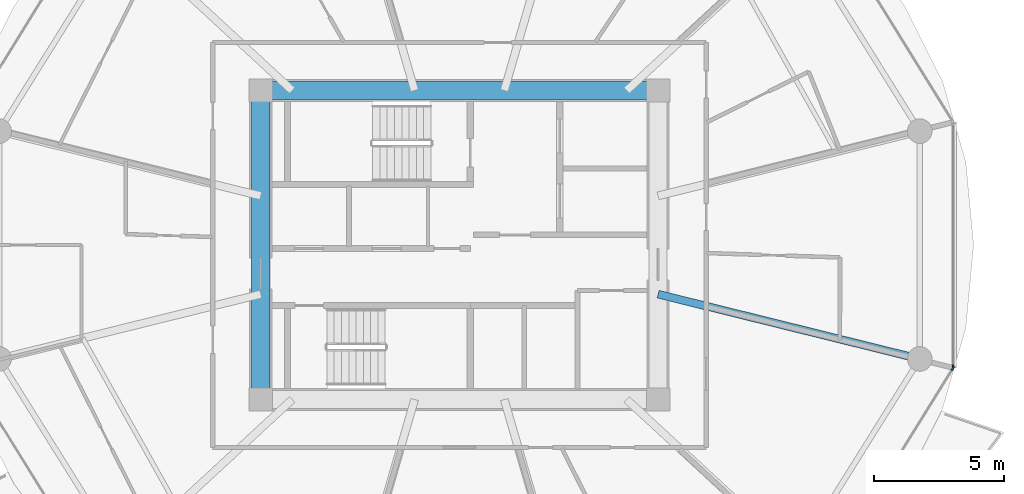
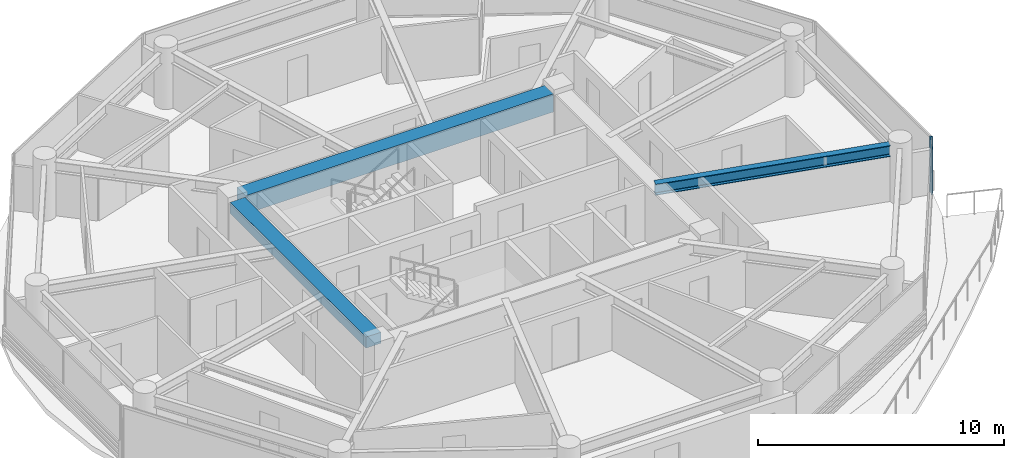
# One storey, part 11 of 25: 3 beams, 2 members, 2 elements without a shape of their own.
"""IFC4 building model written with IfcOpenShell, lengths in metres."""

from ifc_helpers import new_model, si_unit, direction, frame, origin, origin_2d, place, context, subcontext, project, spatial, rectangle, i_section, extrude, source, transform, mapped, material, layer, layer_set, material_profile, profile_set, type_object, type_shapes, element, aggregate, save


model = new_model("IFC4")

# Units and contexts
model_context = context("Model", 3, precision=1e-05, world=origin(), true_north=direction((0.0, 1.0)))
body_context = subcontext(model_context, "Body", "Model", "MODEL_VIEW")
ifc_project = project(units=[si_unit("LENGTHUNIT", "METRE"), si_unit("AREAUNIT", "SQUARE_METRE"), si_unit("VOLUMEUNIT", "CUBIC_METRE"), si_unit("PLANEANGLEUNIT", "RADIAN"), si_unit("MASSUNIT", "GRAM", prefix="KILO")], contexts=[model_context])

# Site, building, storey
site_placement = place(None, origin())
site = spatial("IfcSite", under=ifc_project, at=site_placement, CompositionType="ELEMENT")
building_placement = place(site_placement, origin())
building = spatial("IfcBuilding", under=site, at=building_placement, Name="Norrkilde Senior Care Towers", CompositionType="ELEMENT")
storey_placement = place(building_placement, frame((0.0, 0.0, 27.699951171875)))
storey = spatial("IfcBuildingStorey", under=building, at=storey_placement, Name="L07", CompositionType="ELEMENT", Elevation=27.699951171875)

# Beams
ifc_material_1 = material(Name="Concrete C60/75", Category="concrete")
ifc_material_profile_1 = material_profile(ifc_material_1, rectangle(XDim=0.699951171875, YDim=0.89990234375, at=origin_2d()), Name="RC BM 700x900")
ifc_profile_set_1 = profile_set([ifc_material_profile_1], Name="Concrete C60/75")
beam_type_1 = type_object("IfcBeamType", Name="Core Coupling Girder 700x900", PredefinedType="USERDEFINED", material=ifc_profile_set_1)
shared_shape_1 = source(origin(), body_context, "Body", "SweptSolid", [
    extrude(rectangle(XDim=0.699951171875, YDim=0.89990234375, at=origin_2d()), origin(), (0.0, 0.0, 1.0), 14.43994140625),
])
type_shapes(beam_type_1, [shared_shape_1])
beam_1_placement = place(storey_placement, frame((20.780029296875, 5.949951171875, 2.340087890625), z_axis=(1.0, 0.0, 0.0), x_axis=(0.0, 1.0, 0.0)))
element("IfcBeam", 1, at=beam_1_placement, inside=storey, type_object=beam_type_1, Name="L07 Core E N Coupling Girder", ObjectType="GIRDER", PredefinedType="USERDEFINED", context=body_context, shape_type="MappedRepresentation", body=[
    mapped(shared_shape_1, transform((0.0, 0.0, 0.0), x_axis=(1.0, 0.0, 0.0), y_axis=(0.0, 1.0, 0.0), z_axis=(0.0, 0.0, 1.0), scale=1.0)),
])
ifc_material_profile_2 = material_profile(ifc_material_1, rectangle(XDim=0.699951171875, YDim=0.550048828125, at=origin_2d()), Name="RC BM 700x550")
ifc_profile_set_2 = profile_set([ifc_material_profile_2], Name="Concrete C60/75")
beam_type_2 = type_object("IfcBeamType", Name="Core Portal Coupling Beam 700x550", PredefinedType="USERDEFINED", material=ifc_profile_set_2)
shared_shape_2 = source(origin(), body_context, "Body", "SweptSolid", [
    extrude(rectangle(XDim=0.699951171875, YDim=0.550048828125, at=origin_2d()), origin(), (0.0, 0.0, 1.0), 11.0400390625),
])
type_shapes(beam_type_2, [shared_shape_2])
beam_2_placement = place(storey_placement, frame((20.35009765625, -5.52001953125, 2.51513671875), z_axis=(0.0, 1.0, 0.0), x_axis=(-1.0, 0.0, 0.0)))
element("IfcBeam", 2, at=beam_2_placement, inside=storey, type_object=beam_type_2, Name="L07 Core E W Coupling Girder", ObjectType="GIRDER", PredefinedType="USERDEFINED", context=body_context, shape_type="MappedRepresentation", body=[
    mapped(shared_shape_2, transform((0.0, 0.0, 0.0), x_axis=(1.0, 0.0, 0.0), y_axis=(0.0, 1.0, 0.0), z_axis=(0.0, 0.0, 1.0), scale=1.0)),
])
ifc_material_2 = material(Name="Steel S355", Category="steel")
ifc_material_profile_3 = material_profile(ifc_material_2, i_section(OverallWidth=0.300048828125, OverallDepth=0.550048828125, WebThickness=0.014892578125, FlangeThickness=0.029052734375, FilletRadius=0.027099609375, at=origin_2d()), Name="HEB 550")
ifc_profile_set_3 = profile_set([ifc_material_profile_3], Name="Steel S355")
beam_type_3 = type_object("IfcBeamType", Name="Radial Floor Beam Z1 HEB550", PredefinedType="BEAM", material=ifc_profile_set_3)
shared_shape_3 = source(origin(), body_context, "Body", "SweptSolid", [
    extrude(i_section(OverallWidth=0.300048828125, OverallDepth=0.550048828125, WebThickness=0.014892578125, FlangeThickness=0.029052734375, FilletRadius=0.027099609375, at=origin_2d()), origin(), (0.0, 0.0, 1.0), 9.94384765625),
])
type_shapes(beam_type_3, [shared_shape_3])
beam_3_placement = place(storey_placement, frame((35.64990234375, -1.893310546875, 2.51513671875), z_axis=(0.970707425182, -0.240264634718, 0.0), x_axis=(0.240264634718, 0.970707425182, 0.0)))
element("IfcBeam", 3, at=beam_3_placement, inside=storey, type_object=beam_type_3, Name="L07 Drum E Radial Floor Beam 12", PredefinedType="BEAM", context=body_context, shape_type="MappedRepresentation", body=[
    mapped(shared_shape_3, transform((0.0, 0.0, 0.0), x_axis=(1.0, 0.0, 0.0), y_axis=(0.0, 1.0, 0.0), z_axis=(0.0, 0.0, 1.0), scale=1.0)),
])

# Curtain wall, member
ifc_material_3 = material(Name="Triple Low-E Insulated Glazing", Category="glass")
ifc_layer = layer(ifc_material_3, 0.199951171875)
ifc_layer_set = layer_set([ifc_layer], Name="Triple Low-E Insulated Glazing")
curtain_wall_type = type_object("IfcCurtainWallType", Name="CW2 Zone 1 Memory Care Curtain Wall", PredefinedType="NOTDEFINED", material=ifc_layer_set)
curtain_wall_1_placement = place(storey_placement, origin())
curtain_wall_1 = element("IfcCurtainWall", 4, at=curtain_wall_1_placement, inside=storey, type_object=curtain_wall_type, Name="L07 Drum E Curtain Wall 10", PredefinedType="NOTDEFINED")
ifc_material_4 = material(Name="Anodised Aluminium", Category="aluminium")
ifc_material_profile_4 = material_profile(ifc_material_4, rectangle(XDim=0.06494140625, YDim=0.159912109375, at=origin_2d()), Name="ALU MULL 65x160")
ifc_profile_set_4 = profile_set([ifc_material_profile_4], Name="Anodised Aluminium")
member_type = type_object("IfcMemberType", Name="Curtain Wall Mullion Z1-Z2 65x160", PredefinedType="MULLION", material=ifc_profile_set_4)
shared_shape_4 = source(origin(), body_context, "Body", "SweptSolid", [
    extrude(rectangle(XDim=0.06494140625, YDim=0.159912109375, at=origin_2d()), origin(), (0.0, 0.0, 1.0), 2.7900390625),
])
type_shapes(member_type, [shared_shape_4])
member_1_placement = place(storey_placement, frame((46.9921875, -4.7587890625, 0.0), z_axis=(0.0, 0.0, 1.0), x_axis=(0.849305943117, -0.527900951871, 0.0)))
member_1 = element("IfcMember", 5, at=member_1_placement, type_object=member_type, Name="CW-2 mullion 1", PredefinedType="MULLION", context=body_context, shape_type="MappedRepresentation", body=[
    mapped(shared_shape_4, transform((0.0, 0.0, 0.0), x_axis=(1.0, 0.0, 0.0), y_axis=(0.0, 1.0, 0.0), z_axis=(0.0, 0.0, 1.0), scale=1.0)),
])
aggregate(curtain_wall_1, [member_1])

curtain_wall_2_placement = place(storey_placement, origin())
curtain_wall_2 = element("IfcCurtainWall", 6, at=curtain_wall_2_placement, inside=storey, type_object=curtain_wall_type, Name="L07 Drum E Curtain Wall 11", PredefinedType="NOTDEFINED")
member_2_placement = place(storey_placement, frame((47.009521484375, -4.69873046875, 0.0), z_axis=(0.0, 0.0, 1.0), x_axis=(1.0, 0.0, 0.0)))
member_2 = element("IfcMember", 7, at=member_2_placement, type_object=member_type, Name="CW-2 mullion 2", PredefinedType="MULLION", context=body_context, shape_type="MappedRepresentation", body=[
    mapped(shared_shape_4, transform((0.0, 0.0, 0.0), x_axis=(1.0, 0.0, 0.0), y_axis=(0.0, 1.0, 0.0), z_axis=(0.0, 0.0, 1.0), scale=1.0)),
])
aggregate(curtain_wall_2, [member_2])

save(model, "model.ifc")
